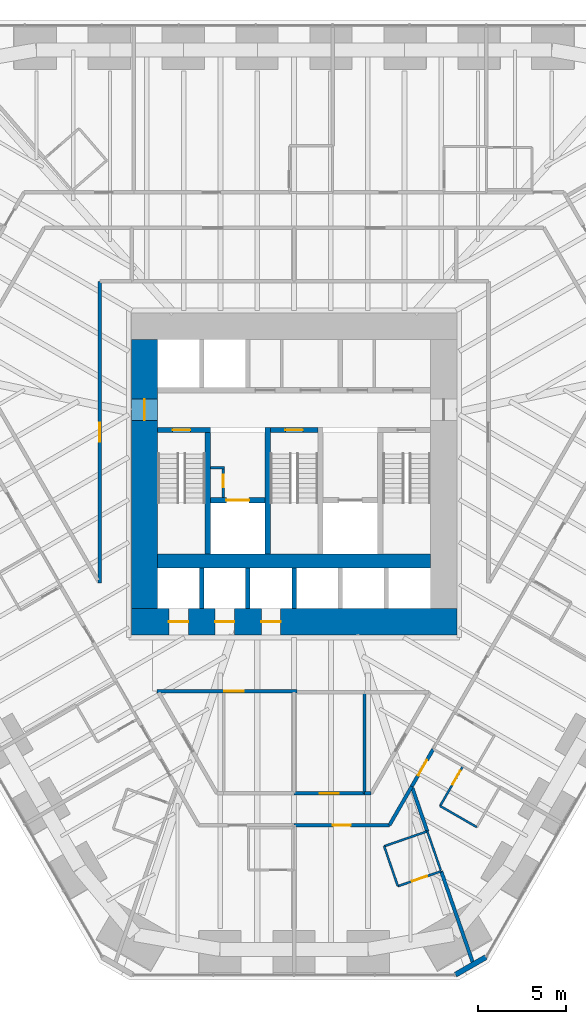
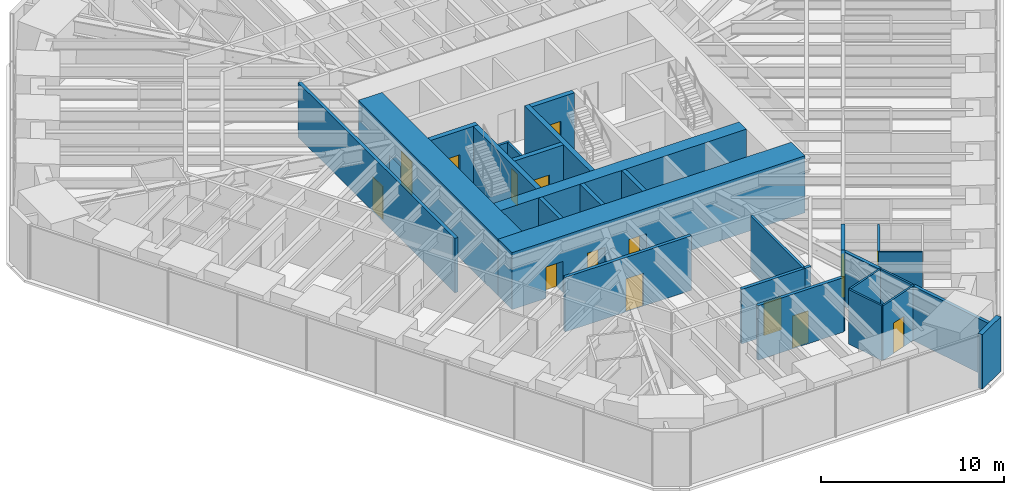
# One storey, part 12 of 17: 30 walls, 15 doors, 15 openings.
"""IFC4 building model written with IfcOpenShell, lengths in metres."""

from ifc_helpers import new_model, si_unit, direction, frame, frame_2d, origin, place, context, subcontext, project, spatial, rectangle, extrude, material, layer, layer_set, type_object, element, fill, save


model = new_model("IFC4")

# Units and contexts
model_context = context("Model", 3, precision=1e-05, world=origin(), true_north=direction((0.0, 1.0)))
body_context = subcontext(model_context, "Body", "Model", "MODEL_VIEW")
ifc_project = project(units=[si_unit("LENGTHUNIT", "METRE"), si_unit("AREAUNIT", "SQUARE_METRE"), si_unit("VOLUMEUNIT", "CUBIC_METRE"), si_unit("PLANEANGLEUNIT", "RADIAN"), si_unit("MASSUNIT", "GRAM", prefix="KILO")], contexts=[model_context])

# Site, building, storey
site_placement = place(None, origin())
site = spatial("IfcSite", under=ifc_project, at=site_placement, CompositionType="ELEMENT")
building_placement = place(site_placement, origin())
building = spatial("IfcBuilding", under=site, at=building_placement, Name="Sandreach Pilgrim Tower", CompositionType="ELEMENT")
storey_placement = place(building_placement, frame((0.0, 0.0, 57.199951171875)))
storey = spatial("IfcBuildingStorey", under=building, at=storey_placement, Name="L13", CompositionType="ELEMENT", Elevation=57.199951171875)

# Walls
ifc_material_1 = material(Name="Gypsum board on steel studs", Category="steel")
ifc_layer_1 = layer(ifc_material_1, 0.14990234375)
ifc_layer_set_1 = layer_set([ifc_layer_1], Name="Back of house wall 150")
wall_type_1 = type_object("IfcWallType", Name="Back of house wall 150", PredefinedType="PARTITIONING", material=ifc_layer_set_1)
wall_1_placement = place(storey_placement, frame((4.0, -13.949951171875, 0.0), z_axis=(0.0, 0.0, 1.0), x_axis=(0.0, -1.0, 0.0)))
element("IfcWall", 1, at=wall_1_placement, inside=storey, type_object=wall_type_1, Name="Back of house wall L13-089", PredefinedType="PARTITIONING", context=body_context, shape_type="SweptSolid", body=[
    extrude(rectangle(XDim=5.760009765625, YDim=0.14990234375, at=frame_2d((2.8798828125, 0.0))), origin(), (0.0, 0.0, 1.0), 3.64013671875),
])
ifc_material_2 = material(Name="Moisture-resistant gypsum board on steel studs", Category="steel")
ifc_layer_2 = layer(ifc_material_2, 0.1201171875)
ifc_layer_set_2 = layer_set([ifc_layer_2], Name="Bathroom partition 120")
wall_type_2 = type_object("IfcWallType", Name="Bathroom partition 120", PredefinedType="PARTITIONING", material=ifc_layer_set_2)
wall_2_placement = place(storey_placement, frame((5.1201171875, -22.7099609375, 0.0), z_axis=(0.0, 0.0, 1.0), x_axis=(0.324880771143, -0.945754981241, 0.0)))
element("IfcWall", 2, at=wall_2_placement, inside=storey, type_object=wall_type_2, Name="Bathroom partition L13-092", PredefinedType="PARTITIONING", context=body_context, shape_type="SweptSolid", body=[
    extrude(rectangle(XDim=2.400146484375, YDim=0.1201171875, at=frame_2d((1.2001953125, 0.0))), origin(), (0.0, 0.0, 1.0), 3.64013671875),
])

# Wall, opening, door
wall_3_placement = place(storey_placement, frame((5.89990234375, -24.97998046875, 0.0), z_axis=(0.0, 0.0, 1.0), x_axis=(0.945165466094, 0.326591857987, 0.0)))
wall_3 = element("IfcWall", 3, at=wall_3_placement, inside=storey, type_object=wall_type_2, Name="Bathroom partition L13-094", PredefinedType="PARTITIONING", context=body_context, shape_type="SweptSolid", body=[
    extrude(rectangle(XDim=2.60302734375, YDim=0.1201171875, at=frame_2d((1.301513671875, 0.0))), origin(), (0.0, 0.0, 1.0), 3.64013671875),
])
opening_1_placement = place(wall_3_placement, frame((0.85009765625, 0.0, 0.0)))
opening_1 = element("IfcOpeningElement", 4, at=opening_1_placement, cuts=wall_3, Name="Opening D09-12B", PredefinedType="OPENING", context=body_context, shape_type="SweptSolid", body=[
    extrude(rectangle(XDim=0.89990234375, YDim=2.030029296875, at=frame_2d((0.449951171875, 1.01513671875))), frame((0.0, 0.06005859375, 0.0), z_axis=(0.0, -1.0, 0.0), x_axis=(1.0, 0.0, 0.0)), (0.0, 0.0, 1.0), 0.1201171875),
])
ifc_material_3 = material(Name="Timber door, steel frame", Category="steel")
door_type_1 = type_object("IfcDoorType", Name="Bathroom door", OperationType="SINGLE_SWING_LEFT", PredefinedType="DOOR", material=ifc_material_3)
door_1_placement = place(opening_1_placement, origin())
door_1 = element("IfcDoor", 5, at=door_1_placement, inside=storey, type_object=door_type_1, Name="Door 1312B", OperationType="SINGLE_SWING_LEFT", OverallHeight=2.030029296875, OverallWidth=0.89990234375, PredefinedType="DOOR", context=body_context, shape_type="SweptSolid", body=[
    extrude(rectangle(XDim=0.89990234375, YDim=2.030029296875, at=frame_2d((0.449951171875, 1.01513671875))), frame((0.0, 0.02490234375, 0.0), z_axis=(0.0, -1.0, 0.0), x_axis=(1.0, 0.0, 0.0)), (0.0, 0.0, 1.0), 0.050048828125),
])
fill(opening_1, door_1)

# Walls
wall_4_placement = place(storey_placement, frame((7.570068359375, -21.860107421875, 0.0), z_axis=(0.0, 0.0, 1.0), x_axis=(-0.944782191137, -0.327698964463, 0.0)))
element("IfcWall", 6, at=wall_4_placement, inside=storey, type_object=wall_type_2, Name="Bathroom partition L13-097", PredefinedType="PARTITIONING", context=body_context, shape_type="SweptSolid", body=[
    extrude(rectangle(XDim=2.593505859375, YDim=0.1201171875, at=frame_2d((1.296875, 0.0))), origin(), (0.0, 0.0, 1.0), 3.64013671875),
])
wall_5_placement = place(storey_placement, frame((7.570068359375, -21.860107421875, 0.0), z_axis=(0.0, 0.0, 1.0), x_axis=(0.327706459026, -0.944779591605, 0.0)))
element("IfcWall", 7, at=wall_5_placement, inside=storey, type_object=wall_type_2, Name="Bathroom partition L13-098", PredefinedType="PARTITIONING", context=body_context, shape_type="SweptSolid", body=[
    extrude(rectangle(XDim=2.349609375, YDim=0.1201171875, at=frame_2d((1.1748046875, 0.0))), origin(), (0.0, 0.0, 1.0), 3.64013671875),
])
wall_6_placement = place(storey_placement, frame((8.300048828125, -20.419921875, 0.0), z_axis=(0.0, 0.0, 1.0), x_axis=(0.866177122335, -0.499737123639, 0.0)))
element("IfcWall", 8, at=wall_6_placement, inside=storey, type_object=wall_type_2, Name="Bathroom partition L13-102", PredefinedType="PARTITIONING", context=body_context, shape_type="SweptSolid", body=[
    extrude(rectangle(XDim=2.401123046875, YDim=0.1201171875, at=frame_2d((1.20068359375, 0.0))), origin(), (0.0, 0.0, 1.0), 3.64013671875),
])

# Wall, opening, door
wall_7_placement = place(storey_placement, frame((9.60009765625, -18.159912109375, 0.0), z_axis=(0.0, 0.0, 1.0), x_axis=(-0.498627694264, -0.866816256489, 0.0)))
wall_7 = element("IfcWall", 9, at=wall_7_placement, inside=storey, type_object=wall_type_2, Name="Bathroom partition L13-110", PredefinedType="PARTITIONING", context=body_context, shape_type="SweptSolid", body=[
    extrude(rectangle(XDim=2.607177734375, YDim=0.1201171875, at=frame_2d((1.3037109375, 0.0))), origin(), (0.0, 0.0, 1.0), 3.64013671875),
])
opening_2_placement = place(wall_7_placement, frame((0.300048828125, 0.0, 0.0)))
opening_2 = element("IfcOpeningElement", 10, at=opening_2_placement, cuts=wall_7, Name="Opening D09-11B", PredefinedType="OPENING", context=body_context, shape_type="SweptSolid", body=[
    extrude(rectangle(XDim=0.89990234375, YDim=2.030029296875, at=frame_2d((0.449951171875, 1.01513671875))), frame((0.0, 0.06005859375, 0.0), z_axis=(0.0, -1.0, 0.0), x_axis=(1.0, 0.0, 0.0)), (0.0, 0.0, 1.0), 0.1201171875),
])
door_2_placement = place(opening_2_placement, origin())
door_2 = element("IfcDoor", 11, at=door_2_placement, inside=storey, type_object=door_type_1, Name="Door 1311B", OperationType="SINGLE_SWING_LEFT", OverallHeight=2.030029296875, OverallWidth=0.89990234375, PredefinedType="DOOR", context=body_context, shape_type="SweptSolid", body=[
    extrude(rectangle(XDim=0.89990234375, YDim=2.030029296875, at=frame_2d((0.449951171875, 1.01513671875))), frame((0.0, 0.02490234375, 0.0), z_axis=(0.0, -1.0, 0.0), x_axis=(1.0, 0.0, 0.0)), (0.0, 0.0, 1.0), 0.050048828125),
])
fill(opening_2, door_2)

# Walls
ifc_material_4 = material(Name="Concrete 10000 psi", Category="concrete")
ifc_layer_3 = layer(ifc_material_4, 0.300048828125)
ifc_layer_set_3 = layer_set([ifc_layer_3], Name="Core inner wall 300")
wall_type_3 = type_object("IfcWallType", Name="Core inner wall 300", PredefinedType="SHEAR", material=ifc_layer_set_3)
for number, where, z_axis, x_axis, name in (
    (12, (-4.89990234375, -6.10009765625, 0.0), (0.0, 0.0, 1.0), (0.0, 1.0, 0.0), "Core wall I0 L13"),
    (13, (-1.5, -6.10009765625, 0.0), (0.0, 0.0, 1.0), (0.0, 1.0, 0.0), "Core wall I1 L13"),
):
    element("IfcWall", number, at=place(storey_placement, frame(where, z_axis=z_axis, x_axis=x_axis)), inside=storey, type_object=wall_type_3, Name=name, PredefinedType="SHEAR", context=body_context, shape_type="SweptSolid", body=[
        extrude(rectangle(XDim=7.2001953125, YDim=0.300048828125, at=frame_2d((3.60009765625, 0.0))), origin(), (0.0, 0.0, 1.0), 3.800048828125),
    ])

# Wall, opening, door
wall_8_placement = place(storey_placement, frame((-7.75, 0.949951171875, 0.0), z_axis=(0.0, 0.0, 1.0), x_axis=(1.0, 0.0, 0.0)))
wall_8 = element("IfcWall", 14, at=wall_8_placement, inside=storey, type_object=wall_type_3, Name="Core wall SN1 L13", PredefinedType="SHEAR", context=body_context, shape_type="SweptSolid", body=[
    extrude(rectangle(XDim=3.0, YDim=0.300048828125, at=frame_2d((1.5, 0.0))), origin(), (0.0, 0.0, 1.0), 3.800048828125),
])
opening_3_placement = place(wall_8_placement, frame((0.85009765625, 0.0, 0.0)))
opening_3 = element("IfcOpeningElement", 15, at=opening_3_placement, cuts=wall_8, Name="Opening D10S-ST1", PredefinedType="OPENING", context=body_context, shape_type="SweptSolid", body=[
    extrude(rectangle(XDim=1.0, YDim=2.199951171875, at=frame_2d((0.5, 1.10009765625))), frame((0.0, 0.14990234375, 0.0), z_axis=(0.0, -1.0, 0.0), x_axis=(1.0, 0.0, 0.0)), (0.0, 0.0, 1.0), 0.300048828125),
])
ifc_material_5 = material(Name="Steel door and frame", Category="steel")
door_type_2 = type_object("IfcDoorType", Name="Stair door", OperationType="SINGLE_SWING_LEFT", PredefinedType="DOOR", material=ifc_material_5)
door_3_placement = place(opening_3_placement, origin())
door_3 = element("IfcDoor", 16, at=door_3_placement, inside=storey, type_object=door_type_2, Name="Stair door ST1 L13", OperationType="SINGLE_SWING_LEFT", OverallHeight=2.199951171875, OverallWidth=1.0, PredefinedType="DOOR", context=body_context, shape_type="SweptSolid", body=[
    extrude(rectangle(XDim=1.0, YDim=2.199951171875, at=frame_2d((0.5, 1.10009765625))), frame((0.0, 0.02490234375, 0.0), z_axis=(0.0, -1.0, 0.0), x_axis=(1.0, 0.0, 0.0)), (0.0, 0.0, 1.0), 0.050048828125),
])
fill(opening_3, door_3)

wall_9_placement = place(storey_placement, frame((-1.35009765625, 0.949951171875, 0.0), z_axis=(0.0, 0.0, 1.0), x_axis=(1.0, 0.0, 0.0)))
wall_9 = element("IfcWall", 17, at=wall_9_placement, inside=storey, type_object=wall_type_3, Name="Core wall SN3 L13", PredefinedType="SHEAR", context=body_context, shape_type="SweptSolid", body=[
    extrude(rectangle(XDim=2.7001953125, YDim=0.300048828125, at=frame_2d((1.35009765625, 0.0))), origin(), (0.0, 0.0, 1.0), 3.800048828125),
])
opening_4_placement = place(wall_9_placement, frame((0.85009765625, 0.0, 0.0)))
opening_4 = element("IfcOpeningElement", 18, at=opening_4_placement, cuts=wall_9, Name="Opening D10S-ST3", PredefinedType="OPENING", context=body_context, shape_type="SweptSolid", body=[
    extrude(rectangle(XDim=1.0, YDim=2.199951171875, at=frame_2d((0.5, 1.10009765625))), frame((0.0, 0.14990234375, 0.0), z_axis=(0.0, -1.0, 0.0), x_axis=(1.0, 0.0, 0.0)), (0.0, 0.0, 1.0), 0.300048828125),
])
door_4_placement = place(opening_4_placement, origin())
door_4 = element("IfcDoor", 19, at=door_4_placement, inside=storey, type_object=door_type_2, Name="Stair door ST3 L13", OperationType="SINGLE_SWING_LEFT", OverallHeight=2.199951171875, OverallWidth=1.0, PredefinedType="DOOR", context=body_context, shape_type="SweptSolid", body=[
    extrude(rectangle(XDim=1.0, YDim=2.199951171875, at=frame_2d((0.5, 1.10009765625))), frame((0.0, 0.02490234375, 0.0), z_axis=(0.0, -1.0, 0.0), x_axis=(1.0, 0.0, 0.0)), (0.0, 0.0, 1.0), 0.050048828125),
])
fill(opening_4, door_4)

wall_10_placement = place(storey_placement, frame((-4.75, -3.050048828125, 0.0), z_axis=(0.0, 0.0, 1.0), x_axis=(1.0, 0.0, 0.0)))
wall_10 = element("IfcWall", 20, at=wall_10_placement, inside=storey, type_object=wall_type_3, Name="Core wall FL1 L13", PredefinedType="SHEAR", context=body_context, shape_type="SweptSolid", body=[
    extrude(rectangle(XDim=3.10009765625, YDim=0.300048828125, at=frame_2d((1.550048828125, 0.0))), origin(), (0.0, 0.0, 1.0), 3.800048828125),
])
opening_5_placement = place(wall_10_placement, frame((0.89990234375, 0.0, 0.0)))
opening_5 = element("IfcOpeningElement", 21, at=opening_5_placement, cuts=wall_10, Name="Opening LD13", PredefinedType="OPENING", context=body_context, shape_type="SweptSolid", body=[
    extrude(rectangle(XDim=1.300048828125, YDim=2.10009765625, at=frame_2d((0.64990234375, 1.050048828125))), frame((0.0, 0.14990234375, 0.0), z_axis=(0.0, -1.0, 0.0), x_axis=(1.0, 0.0, 0.0)), (0.0, 0.0, 1.0), 0.300048828125),
])
ifc_material_6 = material(Name="Steel door and frame", Category="steel")
door_type_3 = type_object("IfcDoorType", Name="Fire service lift landing door", OperationType="DOUBLE_DOOR_SLIDING", PredefinedType="DOOR", material=ifc_material_6)
door_5_placement = place(opening_5_placement, origin())
door_5 = element("IfcDoor", 22, at=door_5_placement, inside=storey, type_object=door_type_3, Name="Lift landing door FS1 L13", OperationType="DOUBLE_DOOR_SLIDING", OverallHeight=2.10009765625, OverallWidth=1.300048828125, PredefinedType="DOOR", context=body_context, shape_type="SweptSolid", body=[
    extrude(rectangle(XDim=1.300048828125, YDim=2.10009765625, at=frame_2d((0.64990234375, 1.050048828125))), frame((0.0, 0.02490234375, 0.0), z_axis=(0.0, -1.0, 0.0), x_axis=(1.0, 0.0, 0.0)), (0.0, 0.0, 1.0), 0.050048828125),
])
fill(opening_5, door_5)

# Wall
ifc_material_7 = material(Name="Concrete 10000 psi", Category="concrete")
ifc_layer_4 = layer(ifc_material_7, 0.800048828125)
ifc_layer_set_4 = layer_set([ifc_layer_4], Name="Core mid wall 800")
wall_type_4 = type_object("IfcWallType", Name="Core mid wall 800", PredefinedType="SHEAR", material=ifc_layer_set_4)
wall_11_placement = place(storey_placement, frame((-7.75, -6.5, 0.0), z_axis=(0.0, 0.0, 1.0), x_axis=(1.0, 0.0, 0.0)))
element("IfcWall", 23, at=wall_11_placement, inside=storey, type_object=wall_type_4, Name="Core wall M L13", PredefinedType="SHEAR", context=body_context, shape_type="SweptSolid", body=[
    extrude(rectangle(XDim=15.5, YDim=0.800048828125, at=frame_2d((7.75, 0.0))), origin(), (0.0, 0.0, 1.0), 3.800048828125),
])

# Wall, openings, doors
ifc_material_8 = material(Name="Concrete 10000 psi", Category="concrete")
ifc_layer_5 = layer(ifc_material_8, 1.5)
ifc_layer_set_5 = layer_set([ifc_layer_5], Name="Core wall 1500")
wall_type_5 = type_object("IfcWallType", Name="Core wall 1500", PredefinedType="SHEAR", material=ifc_layer_set_5)
wall_12_placement = place(storey_placement, frame((-9.25, -9.949951171875, 0.0), z_axis=(0.0, 0.0, 1.0), x_axis=(1.0, 0.0, 0.0)))
wall_12 = element("IfcWall", 24, at=wall_12_placement, inside=storey, type_object=wall_type_5, Name="Core wall S L13", PredefinedType="SHEAR", context=body_context, shape_type="SweptSolid", body=[
    extrude(rectangle(XDim=18.5, YDim=1.5, at=frame_2d((9.25, 0.0))), origin(), (0.0, 0.0, 1.0), 3.800048828125),
])
opening_6_placement = place(wall_12_placement, frame((2.137451171875, 0.0, 0.0)))
opening_6 = element("IfcOpeningElement", 25, at=opening_6_placement, cuts=wall_12, Name="Opening LD11", PredefinedType="OPENING", context=body_context, shape_type="SweptSolid", body=[
    extrude(rectangle(XDim=1.10009765625, YDim=2.10009765625, at=frame_2d((0.550048828125, 1.050048828125))), frame((0.0, 0.75, 0.0), z_axis=(0.0, -1.0, 0.0), x_axis=(1.0, 0.0, 0.0)), (0.0, 0.0, 1.0), 1.5),
])
opening_7_placement = place(wall_12_placement, frame((4.762451171875, 0.0, 0.0)))
opening_7 = element("IfcOpeningElement", 26, at=opening_7_placement, cuts=wall_12, Name="Opening LD11", PredefinedType="OPENING", context=body_context, shape_type="SweptSolid", body=[
    extrude(rectangle(XDim=1.10009765625, YDim=2.10009765625, at=frame_2d((0.550048828125, 1.050048828125))), frame((0.0, 0.75, 0.0), z_axis=(0.0, -1.0, 0.0), x_axis=(1.0, 0.0, 0.0)), (0.0, 0.0, 1.0), 1.5),
])
opening_8_placement = place(wall_12_placement, frame((7.387451171875, 0.0, 0.0)))
opening_8 = element("IfcOpeningElement", 27, at=opening_8_placement, cuts=wall_12, Name="Opening LD11", PredefinedType="OPENING", context=body_context, shape_type="SweptSolid", body=[
    extrude(rectangle(XDim=1.10009765625, YDim=2.10009765625, at=frame_2d((0.550048828125, 1.050048828125))), frame((0.0, 0.75, 0.0), z_axis=(0.0, -1.0, 0.0), x_axis=(1.0, 0.0, 0.0)), (0.0, 0.0, 1.0), 1.5),
])
ifc_material_9 = material(Name="Steel door and frame", Category="steel")
door_type_4 = type_object("IfcDoorType", Name="Lift landing door", OperationType="DOUBLE_DOOR_SLIDING", PredefinedType="DOOR", material=ifc_material_9)
door_6_placement = place(opening_6_placement, origin())
door_6 = element("IfcDoor", 28, at=door_6_placement, inside=storey, type_object=door_type_4, Name="Lift landing door Z1A L13", OperationType="DOUBLE_DOOR_SLIDING", OverallHeight=2.10009765625, OverallWidth=1.10009765625, PredefinedType="DOOR", context=body_context, shape_type="SweptSolid", body=[
    extrude(rectangle(XDim=1.10009765625, YDim=2.10009765625, at=frame_2d((0.550048828125, 1.050048828125))), frame((0.0, 0.02490234375, 0.0), z_axis=(0.0, -1.0, 0.0), x_axis=(1.0, 0.0, 0.0)), (0.0, 0.0, 1.0), 0.050048828125),
])
fill(opening_6, door_6)
door_7_placement = place(opening_7_placement, origin())
door_7 = element("IfcDoor", 29, at=door_7_placement, inside=storey, type_object=door_type_4, Name="Lift landing door Z1B L13", OperationType="DOUBLE_DOOR_SLIDING", OverallHeight=2.10009765625, OverallWidth=1.10009765625, PredefinedType="DOOR", context=body_context, shape_type="SweptSolid", body=[
    extrude(rectangle(XDim=1.10009765625, YDim=2.10009765625, at=frame_2d((0.550048828125, 1.050048828125))), frame((0.0, 0.02490234375, 0.0), z_axis=(0.0, -1.0, 0.0), x_axis=(1.0, 0.0, 0.0)), (0.0, 0.0, 1.0), 0.050048828125),
])
fill(opening_7, door_7)
door_8_placement = place(opening_8_placement, origin())
door_8 = element("IfcDoor", 30, at=door_8_placement, inside=storey, type_object=door_type_4, Name="Lift landing door Z1C L13", OperationType="DOUBLE_DOOR_SLIDING", OverallHeight=2.10009765625, OverallWidth=1.10009765625, PredefinedType="DOOR", context=body_context, shape_type="SweptSolid", body=[
    extrude(rectangle(XDim=1.10009765625, YDim=2.10009765625, at=frame_2d((0.550048828125, 1.050048828125))), frame((0.0, 0.02490234375, 0.0), z_axis=(0.0, -1.0, 0.0), x_axis=(1.0, 0.0, 0.0)), (0.0, 0.0, 1.0), 0.050048828125),
])
fill(opening_8, door_8)

# Wall, opening, door
wall_13_placement = place(storey_placement, frame((-8.5, -9.199951171875, 0.0), z_axis=(0.0, 0.0, 1.0), x_axis=(0.0, 1.0, 0.0)))
wall_13 = element("IfcWall", 31, at=wall_13_placement, inside=storey, type_object=wall_type_5, Name="Core wall W L13", PredefinedType="SHEAR", context=body_context, shape_type="SweptSolid", body=[
    extrude(rectangle(XDim=15.300048828125, YDim=1.5, at=frame_2d((7.64990234375, 0.0))), origin(), (0.0, 0.0, 1.0), 3.800048828125),
])
opening_9_placement = place(wall_13_placement, frame((10.699951171875, 0.0, 0.0)))
opening_9 = element("IfcOpeningElement", 32, at=opening_9_placement, cuts=wall_13, Name="Opening D12F-W", PredefinedType="OPENING", context=body_context, shape_type="SweptSolid", body=[
    extrude(rectangle(XDim=1.199951171875, YDim=2.199951171875, at=frame_2d((0.60009765625, 1.10009765625))), frame((0.0, 0.75, 0.0), z_axis=(0.0, -1.0, 0.0), x_axis=(1.0, 0.0, 0.0)), (0.0, 0.0, 1.0), 1.5),
])
ifc_material_10 = material(Name="Steel door and frame", Category="steel")
door_type_5 = type_object("IfcDoorType", Name="Fire lobby door", OperationType="SINGLE_SWING_LEFT", PredefinedType="DOOR", material=ifc_material_10)
door_9_placement = place(opening_9_placement, origin())
door_9 = element("IfcDoor", 33, at=door_9_placement, inside=storey, type_object=door_type_5, Name="Fire service lobby door W L13", OperationType="SINGLE_SWING_RIGHT", OverallHeight=2.199951171875, OverallWidth=1.199951171875, PredefinedType="DOOR", context=body_context, shape_type="SweptSolid", body=[
    extrude(rectangle(XDim=1.199951171875, YDim=2.199951171875, at=frame_2d((0.60009765625, 1.10009765625))), frame((0.0, 0.02490234375, 0.0), z_axis=(0.0, -1.0, 0.0), x_axis=(1.0, 0.0, 0.0)), (0.0, 0.0, 1.0), 0.050048828125),
])
fill(opening_9, door_9)

ifc_material_11 = material(Name="Gypsum board on steel studs, two layers each side", Category="steel")
ifc_layer_6 = layer(ifc_material_11, 0.199951171875)
ifc_layer_set_6 = layer_set([ifc_layer_6], Name="Corridor wall 200")
wall_type_6 = type_object("IfcWallType", Name="Corridor wall 200", PredefinedType="PARTITIONING", material=ifc_layer_set_6)
wall_14_placement = place(storey_placement, frame((-11.050048828125, 9.39990234375, 0.0), z_axis=(0.0, 0.0, 1.0), x_axis=(0.0, -1.0, 0.0)))
wall_14 = element("IfcWall", 34, at=wall_14_placement, inside=storey, type_object=wall_type_6, Name="Corridor wall L13-047", PredefinedType="PARTITIONING", context=body_context, shape_type="SweptSolid", body=[
    extrude(rectangle(XDim=17.159912109375, YDim=0.199951171875, at=frame_2d((8.580078125, 0.0))), origin(), (0.0, 0.0, 1.0), 3.64013671875),
])
opening_10_placement = place(wall_14_placement, frame((8.030029296875, 0.0, 0.0)))
opening_10 = element("IfcOpeningElement", 35, at=opening_10_placement, cuts=wall_14, Name="Opening D11H-M01", PredefinedType="OPENING", context=body_context, shape_type="SweptSolid", body=[
    extrude(rectangle(XDim=1.10009765625, YDim=2.199951171875, at=frame_2d((0.550048828125, 1.10009765625))), frame((0.0, 0.10009765625, 0.0), z_axis=(0.0, -1.0, 0.0), x_axis=(1.0, 0.0, 0.0)), (0.0, 0.0, 1.0), 0.199951171875),
])
ifc_material_12 = material(Name="Steel door and frame", Category="steel")
door_type_6 = type_object("IfcDoorType", Name="Back of house door", OperationType="SINGLE_SWING_LEFT", PredefinedType="DOOR", material=ifc_material_12)
door_10_placement = place(opening_10_placement, origin())
door_10 = element("IfcDoor", 36, at=door_10_placement, inside=storey, type_object=door_type_6, Name="Door 13M01", OperationType="SINGLE_SWING_LEFT", OverallHeight=2.199951171875, OverallWidth=1.10009765625, PredefinedType="DOOR", context=body_context, shape_type="SweptSolid", body=[
    extrude(rectangle(XDim=1.10009765625, YDim=2.199951171875, at=frame_2d((0.550048828125, 1.10009765625))), frame((0.0, 0.02490234375, 0.0), z_axis=(0.0, -1.0, 0.0), x_axis=(1.0, 0.0, 0.0)), (0.0, 0.0, 1.0), 0.050048828125),
])
fill(opening_10, door_10)

wall_15_placement = place(storey_placement, frame((0.0, -21.510009765625, 0.0), z_axis=(0.0, 0.0, 1.0), x_axis=(1.0, 0.0, 0.0)))
wall_15 = element("IfcWall", 37, at=wall_15_placement, inside=storey, type_object=wall_type_6, Name="Corridor wall L13-076", PredefinedType="PARTITIONING", context=body_context, shape_type="SweptSolid", body=[
    extrude(rectangle(XDim=5.419921875, YDim=0.199951171875, at=frame_2d((2.7099609375, 0.0))), origin(), (0.0, 0.0, 1.0), 3.64013671875),
])
opening_11_placement = place(wall_15_placement, frame((2.2099609375, 0.0, 0.0)))
opening_11 = element("IfcOpeningElement", 38, at=opening_11_placement, cuts=wall_15, Name="Opening D10-12", PredefinedType="OPENING", context=body_context, shape_type="SweptSolid", body=[
    extrude(rectangle(XDim=1.0, YDim=2.1298828125, at=frame_2d((0.5, 1.06494140625))), frame((0.0, 0.10009765625, 0.0), z_axis=(0.0, -1.0, 0.0), x_axis=(1.0, 0.0, 0.0)), (0.0, 0.0, 1.0), 0.199951171875),
])
ifc_material_13 = material(Name="Steel door and frame", Category="steel")
door_type_7 = type_object("IfcDoorType", Name="Guest room entry door", OperationType="SINGLE_SWING_LEFT", PredefinedType="DOOR", material=ifc_material_13)
door_11_placement = place(opening_11_placement, origin())
door_11 = element("IfcDoor", 39, at=door_11_placement, inside=storey, type_object=door_type_7, Name="Door 1312", OperationType="SINGLE_SWING_LEFT", OverallHeight=2.1298828125, OverallWidth=1.0, PredefinedType="DOOR", context=body_context, shape_type="SweptSolid", body=[
    extrude(rectangle(XDim=1.0, YDim=2.1298828125, at=frame_2d((0.5, 1.06494140625))), frame((0.0, 0.02490234375, 0.0), z_axis=(0.0, -1.0, 0.0), x_axis=(1.0, 0.0, 0.0)), (0.0, 0.0, 1.0), 0.050048828125),
])
fill(opening_11, door_11)

wall_16_placement = place(storey_placement, frame((0.179931640625, -13.89990234375, 0.0), z_axis=(0.0, 0.0, 1.0), x_axis=(-1.0, 0.0, 0.0)))
wall_16 = element("IfcWall", 40, at=wall_16_placement, inside=storey, type_object=wall_type_6, Name="Corridor wall L13-083", PredefinedType="PARTITIONING", context=body_context, shape_type="SweptSolid", body=[
    extrude(rectangle(XDim=7.969970703125, YDim=0.199951171875, at=frame_2d((3.98486328125, 0.0))), origin(), (0.0, 0.0, 1.0), 3.64013671875),
])
opening_12_placement = place(wall_16_placement, frame((3.034912109375, 0.0, 0.0)))
opening_12 = element("IfcOpeningElement", 41, at=opening_12_placement, cuts=wall_16, Name="Opening D11H-S2", PredefinedType="OPENING", context=body_context, shape_type="SweptSolid", body=[
    extrude(rectangle(XDim=1.10009765625, YDim=2.199951171875, at=frame_2d((0.550048828125, 1.10009765625))), frame((0.0, 0.10009765625, 0.0), z_axis=(0.0, -1.0, 0.0), x_axis=(1.0, 0.0, 0.0)), (0.0, 0.0, 1.0), 0.199951171875),
])
door_12_placement = place(opening_12_placement, origin())
door_12 = element("IfcDoor", 42, at=door_12_placement, inside=storey, type_object=door_type_6, Name="Door 13S2", OperationType="SINGLE_SWING_LEFT", OverallHeight=2.199951171875, OverallWidth=1.10009765625, PredefinedType="DOOR", context=body_context, shape_type="SweptSolid", body=[
    extrude(rectangle(XDim=1.10009765625, YDim=2.199951171875, at=frame_2d((0.550048828125, 1.10009765625))), frame((0.0, 0.02490234375, 0.0), z_axis=(0.0, -1.0, 0.0), x_axis=(1.0, 0.0, 0.0)), (0.0, 0.0, 1.0), 0.050048828125),
])
fill(opening_12, door_12)

wall_17_placement = place(storey_placement, frame((4.0, -19.7099609375, 0.0), z_axis=(0.0, 0.0, 1.0), x_axis=(-1.0, 0.0, 0.0)))
wall_17 = element("IfcWall", 43, at=wall_17_placement, inside=storey, type_object=wall_type_6, Name="Corridor wall L13-088", PredefinedType="PARTITIONING", context=body_context, shape_type="SweptSolid", body=[
    extrude(rectangle(XDim=4.0, YDim=0.199951171875, at=frame_2d((2.0, 0.0))), origin(), (0.0, 0.0, 1.0), 3.64013671875),
])
opening_13_placement = place(wall_17_placement, frame((1.449951171875, 0.0, 0.0)))
opening_13 = element("IfcOpeningElement", 44, at=opening_13_placement, cuts=wall_17, Name="Opening D11H-S3", PredefinedType="OPENING", context=body_context, shape_type="SweptSolid", body=[
    extrude(rectangle(XDim=1.10009765625, YDim=2.199951171875, at=frame_2d((0.550048828125, 1.10009765625))), frame((0.0, 0.10009765625, 0.0), z_axis=(0.0, -1.0, 0.0), x_axis=(1.0, 0.0, 0.0)), (0.0, 0.0, 1.0), 0.199951171875),
])
door_13_placement = place(opening_13_placement, origin())
door_13 = element("IfcDoor", 45, at=door_13_placement, inside=storey, type_object=door_type_6, Name="Door 13S3", OperationType="SINGLE_SWING_LEFT", OverallHeight=2.199951171875, OverallWidth=1.10009765625, PredefinedType="DOOR", context=body_context, shape_type="SweptSolid", body=[
    extrude(rectangle(XDim=1.10009765625, YDim=2.199951171875, at=frame_2d((0.550048828125, 1.10009765625))), frame((0.0, 0.02490234375, 0.0), z_axis=(0.0, -1.0, 0.0), x_axis=(1.0, 0.0, 0.0)), (0.0, 0.0, 1.0), 0.050048828125),
])
fill(opening_13, door_13)

# Walls
wall_18_placement = place(storey_placement, frame((4.3798828125, -19.7099609375, 0.0), z_axis=(0.0, 0.0, 1.0), x_axis=(-1.0, 0.0, 0.0)))
element("IfcWall", 46, at=wall_18_placement, inside=storey, type_object=wall_type_6, Name="Corridor wall L13-091", PredefinedType="PARTITIONING", context=body_context, shape_type="SweptSolid", body=[
    extrude(rectangle(XDim=0.3798828125, YDim=0.199951171875, at=frame_2d((0.18994140625, 0.0))), origin(), (0.0, 0.0, 1.0), 3.64013671875),
])
wall_19_placement = place(storey_placement, frame((5.419921875, -21.510009765625, 0.0), z_axis=(0.0, 0.0, 1.0), x_axis=(0.499963722229, 0.866046347752, 0.0)))
element("IfcWall", 47, at=wall_19_placement, inside=storey, type_object=wall_type_6, Name="Corridor wall L13-093", PredefinedType="PARTITIONING", context=body_context, shape_type="SweptSolid", body=[
    extrude(rectangle(XDim=2.540283203125, YDim=0.199951171875, at=frame_2d((1.27001953125, 0.0))), origin(), (0.0, 0.0, 1.0), 3.64013671875),
])

# Wall, opening, door
wall_20_placement = place(storey_placement, frame((6.68994140625, -19.31005859375, 0.0), z_axis=(0.0, 0.0, 1.0), x_axis=(0.498748634132, 0.866746675766, 0.0)))
wall_20 = element("IfcWall", 48, at=wall_20_placement, inside=storey, type_object=wall_type_6, Name="Corridor wall L13-095", PredefinedType="PARTITIONING", context=body_context, shape_type="SweptSolid", body=[
    extrude(rectangle(XDim=2.446044921875, YDim=0.199951171875, at=frame_2d((1.22314453125, 0.0))), origin(), (0.0, 0.0, 1.0), 3.64013671875),
])
opening_14_placement = place(wall_20_placement, frame((0.722900390625, 0.0, 0.0)))
opening_14 = element("IfcOpeningElement", 49, at=opening_14_placement, cuts=wall_20, Name="Opening D10-11", PredefinedType="OPENING", context=body_context, shape_type="SweptSolid", body=[
    extrude(rectangle(XDim=1.0, YDim=2.1298828125, at=frame_2d((0.5, 1.06494140625))), frame((0.0, 0.10009765625, 0.0), z_axis=(0.0, -1.0, 0.0), x_axis=(1.0, 0.0, 0.0)), (0.0, 0.0, 1.0), 0.199951171875),
])
door_14_placement = place(opening_14_placement, origin())
door_14 = element("IfcDoor", 50, at=door_14_placement, inside=storey, type_object=door_type_7, Name="Door 1311", OperationType="SINGLE_SWING_LEFT", OverallHeight=2.1298828125, OverallWidth=1.0, PredefinedType="DOOR", context=body_context, shape_type="SweptSolid", body=[
    extrude(rectangle(XDim=1.0, YDim=2.1298828125, at=frame_2d((0.5, 1.06494140625))), frame((0.0, 0.02490234375, 0.0), z_axis=(0.0, -1.0, 0.0), x_axis=(1.0, 0.0, 0.0)), (0.0, 0.0, 1.0), 0.050048828125),
])
fill(opening_14, door_14)

# Walls
ifc_material_14 = material(Name="Double steel stud acoustic wall, gypsum board", Category="steel")
ifc_layer_7 = layer(ifc_material_14, 0.199951171875)
ifc_layer_set_7 = layer_set([ifc_layer_7], Name="Party wall 200")
wall_type_7 = type_object("IfcWallType", Name="Party wall 200", PredefinedType="PARTITIONING", material=ifc_layer_set_7)
wall_21_placement = place(storey_placement, frame((6.724365234375, -19.4091796875, 0.0), z_axis=(0.0, 0.0, 1.0), x_axis=(0.326182205696, -0.945306917719, 0.0)))
element("IfcWall", 51, at=wall_21_placement, inside=storey, type_object=wall_type_7, Name="Party wall L13-096", PredefinedType="PARTITIONING", context=body_context, shape_type="SweptSolid", body=[
    extrude(rectangle(XDim=2.5927734375, YDim=0.199951171875, at=frame_2d((1.29638671875, 0.0))), origin(), (0.0, 0.0, 1.0), 3.64013671875),
])
wall_22_placement = place(storey_placement, frame((8.360107421875, -24.1298828125, 0.0), z_axis=(0.0, 0.0, 1.0), x_axis=(0.327332811485, -0.944909112309, 0.0)))
element("IfcWall", 52, at=wall_22_placement, inside=storey, type_object=wall_type_7, Name="Party wall L13-103", PredefinedType="PARTITIONING", context=body_context, shape_type="SweptSolid", body=[
    extrude(rectangle(XDim=5.621337890625, YDim=0.199951171875, at=frame_2d((2.810546875, 0.0))), origin(), (0.0, 0.0, 1.0), 3.64013671875),
])

# Wall, opening, door
ifc_material_15 = material(Name="Gypsum shaft wall on steel studs, shaft liner board", Category="steel")
ifc_layer_8 = layer(ifc_material_15, 0.14990234375)
ifc_layer_set_8 = layer_set([ifc_layer_8], Name="Riser shaft wall 150")
wall_type_8 = type_object("IfcWallType", Name="Riser shaft wall 150", PredefinedType="PARTITIONING", material=ifc_layer_set_8)
wall_23_placement = place(storey_placement, frame((-4.02490234375, -2.89990234375, 0.0), z_axis=(0.0, 0.0, 1.0), x_axis=(0.0, 1.0, 0.0)))
wall_23 = element("IfcWall", 53, at=wall_23_placement, inside=storey, type_object=wall_type_8, Name="Riser partition L13 side", PredefinedType="PARTITIONING", context=body_context, shape_type="SweptSolid", body=[
    extrude(rectangle(XDim=1.77490234375, YDim=0.14990234375, at=frame_2d((0.887451171875, 0.0))), origin(), (0.0, 0.0, 1.0), 3.64013671875),
])
opening_15_placement = place(wall_23_placement, frame((0.60009765625, 0.0, 0.0)))
opening_15 = element("IfcOpeningElement", 54, at=opening_15_placement, cuts=wall_23, Name="Opening D07R", PredefinedType="OPENING", context=body_context, shape_type="SweptSolid", body=[
    extrude(rectangle(XDim=0.699951171875, YDim=2.10009765625, at=frame_2d((0.35009765625, 1.050048828125))), frame((0.0, 0.074951171875, 0.0), z_axis=(0.0, -1.0, 0.0), x_axis=(1.0, 0.0, 0.0)), (0.0, 0.0, 1.0), 0.14990234375),
])
ifc_material_16 = material(Name="Steel door and frame, smoke seals", Category="steel")
door_type_8 = type_object("IfcDoorType", Name="Riser access door", OperationType="SINGLE_SWING_RIGHT", PredefinedType="DOOR", material=ifc_material_16)
door_15_placement = place(opening_15_placement, origin())
door_15 = element("IfcDoor", 55, at=door_15_placement, inside=storey, type_object=door_type_8, Name="Door riser 13ER", OperationType="SINGLE_SWING_RIGHT", OverallHeight=2.10009765625, OverallWidth=0.699951171875, PredefinedType="DOOR", context=body_context, shape_type="SweptSolid", body=[
    extrude(rectangle(XDim=0.699951171875, YDim=2.10009765625, at=frame_2d((0.35009765625, 1.050048828125))), frame((0.0, 0.02490234375, 0.0), z_axis=(0.0, -1.0, 0.0), x_axis=(1.0, 0.0, 0.0)), (0.0, 0.0, 1.0), 0.050048828125),
])
fill(opening_15, door_15)

# Walls
wall_24_placement = place(storey_placement, frame((-4.75, -1.199951171875, 0.0), z_axis=(0.0, 0.0, 1.0), x_axis=(1.0, 0.0, 0.0)))
element("IfcWall", 56, at=wall_24_placement, inside=storey, type_object=wall_type_8, Name="Riser partition L13 front", PredefinedType="PARTITIONING", context=body_context, shape_type="SweptSolid", body=[
    extrude(rectangle(XDim=0.800048828125, YDim=0.14990234375, at=frame_2d((0.39990234375, 0.0))), origin(), (0.0, 0.0, 1.0), 3.64013671875),
])
ifc_material_17 = material(Name="Gypsum shaft wall on steel studs, two layers of shaft liner board", Category="steel")
ifc_layer_9 = layer(ifc_material_17, 0.25)
ifc_layer_set_9 = layer_set([ifc_layer_9], Name="Shaft partition 250")
wall_type_9 = type_object("IfcWallType", Name="Shaft partition 250", PredefinedType="PARTITIONING", material=ifc_layer_set_9)
for number, where, z_axis, x_axis, name in (
    (57, (-5.25, -9.199951171875, 0.0), (0.0, 0.0, 1.0), (0.0, 1.0, 0.0), "Shaft partition XS0 L13"),
    (58, (-2.625, -9.199951171875, 0.0), (0.0, 0.0, 1.0), (0.0, 1.0, 0.0), "Shaft partition XS1 L13"),
    (59, (0.0, -9.199951171875, 0.0), (0.0, 0.0, 1.0), (0.0, 1.0, 0.0), "Shaft partition XS2 L13"),
):
    element("IfcWall", number, at=place(storey_placement, frame(where, z_axis=z_axis, x_axis=x_axis)), inside=storey, type_object=wall_type_9, Name=name, PredefinedType="PARTITIONING", context=body_context, shape_type="SweptSolid", body=[
        extrude(rectangle(XDim=2.300048828125, YDim=0.25, at=frame_2d((1.14990234375, 0.0))), origin(), (0.0, 0.0, 1.0), 3.800048828125),
    ])
ifc_material_18 = material(Name="Terracotta rainscreen on concrete", Category="masonry")
ifc_layer_10 = layer(ifc_material_18, 0.300048828125)
ifc_layer_set_10 = layer_set([ifc_layer_10], Name="Terracotta chamfer pier")
wall_type_10 = type_object("IfcWallType", Name="Terracotta chamfer pier", PredefinedType="SOLIDWALL", material=ifc_layer_set_10)
wall_25_placement = place(storey_placement, frame((10.904052734375, -29.010986328125, 0.0), z_axis=(0.0, 0.0, 1.0), x_axis=(-0.866010750942, -0.50002537861, 0.0)))
element("IfcWall", 60, at=wall_25_placement, inside=storey, type_object=wall_type_10, Name="Chamfer pier L13 SE", PredefinedType="SOLIDWALL", context=body_context, shape_type="SweptSolid", body=[
    extrude(rectangle(XDim=2.0, YDim=0.300048828125, at=frame_2d((1.0, 0.0))), origin(), (0.0, 0.0, 1.0), 3.64013671875),
])

save(model, "model.ifc")
